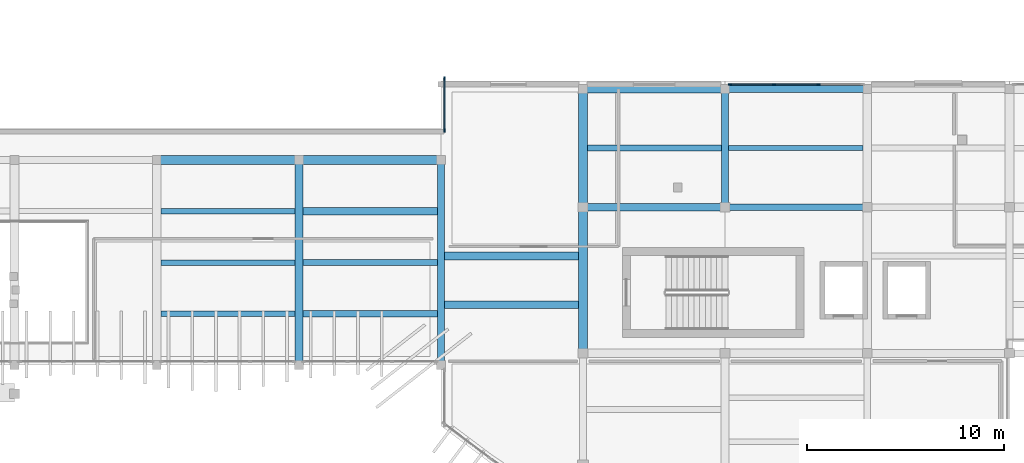
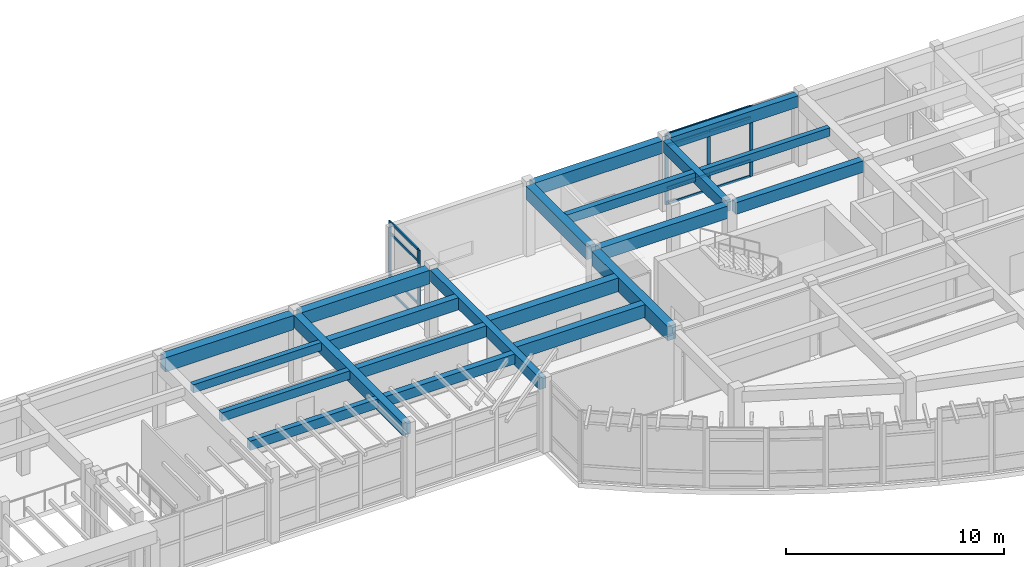
# One storey, part 20 of 60: 21 beams, 17 members, 2 elements without a shape of their own.
"""IFC4 building model written with IfcOpenShell, lengths in metres."""

from ifc_helpers import new_model, si_unit, direction, frame, origin, origin_2d, place, context, subcontext, project, spatial, rectangle, extrude, material, layer, layer_set, material_profile, profile_set, type_object, element, aggregate, save


model = new_model("IFC4")

# Units and contexts
model_context = context("Model", 3, precision=1e-05, world=origin(), true_north=direction((0.0, 1.0)))
body_context = subcontext(model_context, "Body", "Model", "MODEL_VIEW")
ifc_project = project(units=[si_unit("LENGTHUNIT", "METRE"), si_unit("AREAUNIT", "SQUARE_METRE"), si_unit("VOLUMEUNIT", "CUBIC_METRE"), si_unit("PLANEANGLEUNIT", "RADIAN"), si_unit("MASSUNIT", "GRAM", prefix="KILO")], contexts=[model_context])

# Site, building, storey
site_placement = place(None, origin())
site = spatial("IfcSite", under=ifc_project, at=site_placement, CompositionType="ELEMENT")
building_placement = place(site_placement, origin())
building = spatial("IfcBuilding", under=site, at=building_placement, Name="Brisavento Harbour Community Centre", CompositionType="ELEMENT")
storey_placement = place(building_placement, frame((0.0, 0.0, 4.5)))
storey = spatial("IfcBuildingStorey", under=building, at=storey_placement, Name="L01", CompositionType="ELEMENT", Elevation=4.5)

# Beams
ifc_material_1 = material(Name="Concrete C35/45", Category="concrete")
ifc_material_profile_1 = material_profile(ifc_material_1, rectangle(XDim=0.260009765625, YDim=0.4599609375, at=origin_2d()), Name="Concrete C35/45")
ifc_profile_set_1 = profile_set([ifc_material_profile_1], Name="Concrete C35/45")
beam_type_1 = type_object("IfcBeamType", Name="BM-JST-260x460", PredefinedType="JOIST", material=ifc_profile_set_1)
beam_1_placement = place(storey_placement, frame((93.824951171875, 22.199951171875, 3.719970703125), z_axis=(1.0, 0.0, 0.0), x_axis=(0.0, 1.0, 0.0)))
element("IfcBeam", 1, at=beam_1_placement, inside=storey, type_object=beam_type_1, Name="L01 secondary floor joist 0247", PredefinedType="JOIST", context=body_context, shape_type="SweptSolid", body=[
    extrude(rectangle(XDim=0.260009765625, YDim=0.4599609375, at=origin_2d()), origin(), (0.0, 0.0, 1.0), 6.775146484375),
])
beam_2_placement = place(storey_placement, frame((122.574951171875, 25.39990234375, 3.719970703125), z_axis=(1.0, 0.0, 0.0), x_axis=(0.0, 1.0, 0.0)))
element("IfcBeam", 2, at=beam_2_placement, inside=storey, type_object=beam_type_1, Name="L01 secondary floor joist 0258", PredefinedType="JOIST", context=body_context, shape_type="SweptSolid", body=[
    extrude(rectangle(XDim=0.260009765625, YDim=0.4599609375, at=origin_2d()), origin(), (0.0, 0.0, 1.0), 6.800048828125),
])
ifc_material_profile_2 = material_profile(ifc_material_1, rectangle(XDim=0.280029296875, YDim=0.47998046875, at=origin_2d()), Name="Concrete C35/45")
ifc_profile_set_2 = profile_set([ifc_material_profile_2], Name="Concrete C35/45")
beam_type_2 = type_object("IfcBeamType", Name="BM-JST-280x480", PredefinedType="JOIST", material=ifc_profile_set_2)
beam_3_placement = place(storey_placement, frame((93.824951171875, 19.60009765625, 3.7099609375), z_axis=(1.0, 0.0, 0.0), x_axis=(0.0, 1.0, 0.0)))
element("IfcBeam", 3, at=beam_3_placement, inside=storey, type_object=beam_type_2, Name="L01 secondary floor joist 0246", PredefinedType="JOIST", context=body_context, shape_type="SweptSolid", body=[
    extrude(rectangle(XDim=0.280029296875, YDim=0.47998046875, at=origin_2d()), origin(), (0.0, 0.0, 1.0), 6.775146484375),
])
ifc_material_profile_3 = material_profile(ifc_material_1, rectangle(XDim=0.280029296875, YDim=0.52001953125, at=origin_2d()), Name="Concrete C35/45")
ifc_profile_set_3 = profile_set([ifc_material_profile_3], Name="Concrete C35/45")
beam_type_3 = type_object("IfcBeamType", Name="BM-JST-280x520", PredefinedType="JOIST", material=ifc_profile_set_3)
beam_4_placement = place(storey_placement, frame((93.824951171875, 17.0, 3.68994140625), z_axis=(1.0, 0.0, 0.0), x_axis=(0.0, 1.0, 0.0)))
element("IfcBeam", 4, at=beam_4_placement, inside=storey, type_object=beam_type_3, Name="L01 secondary floor joist 0245", PredefinedType="JOIST", context=body_context, shape_type="SweptSolid", body=[
    extrude(rectangle(XDim=0.280029296875, YDim=0.52001953125, at=origin_2d()), origin(), (0.0, 0.0, 1.0), 6.775146484375),
])
ifc_material_profile_4 = material_profile(ifc_material_1, rectangle(XDim=0.300048828125, YDim=0.5, at=origin_2d()), Name="Concrete C35/45")
ifc_profile_set_4 = profile_set([ifc_material_profile_4], Name="Concrete C35/45")
beam_type_4 = type_object("IfcBeamType", Name="BM-JST-300x500", PredefinedType="JOIST", material=ifc_profile_set_4)
beam_5_placement = place(storey_placement, frame((115.425048828125, 25.39990234375, 3.699951171875), z_axis=(1.0, 0.0, 0.0), x_axis=(0.0, 1.0, 0.0)))
element("IfcBeam", 5, at=beam_5_placement, inside=storey, type_object=beam_type_4, Name="L01 secondary floor joist 0254", PredefinedType="JOIST", context=body_context, shape_type="SweptSolid", body=[
    extrude(rectangle(XDim=0.300048828125, YDim=0.5, at=origin_2d()), origin(), (0.0, 0.0, 1.0), 6.800048828125),
])
ifc_material_profile_5 = material_profile(ifc_material_1, rectangle(XDim=0.320068359375, YDim=0.56005859375, at=origin_2d()), Name="Concrete C35/45")
ifc_profile_set_5 = profile_set([ifc_material_profile_5], Name="Concrete C35/45")
beam_type_5 = type_object("IfcBeamType", Name="BM-JST-320x560", PredefinedType="JOIST", material=ifc_profile_set_5)
beam_6_placement = place(storey_placement, frame((101.0, 17.0, 3.669921875), z_axis=(1.0, 0.0, 0.0), x_axis=(0.0, 1.0, 0.0)))
element("IfcBeam", 6, at=beam_6_placement, inside=storey, type_object=beam_type_5, Name="L01 secondary floor joist 0248", PredefinedType="JOIST", context=body_context, shape_type="SweptSolid", body=[
    extrude(rectangle(XDim=0.320068359375, YDim=0.56005859375, at=origin_2d()), origin(), (0.0, 0.0, 1.0), 6.824951171875),
])
ifc_material_profile_6 = material_profile(ifc_material_1, rectangle(XDim=0.320068359375, YDim=0.6201171875, at=origin_2d()), Name="Concrete C35/45")
ifc_profile_set_6 = profile_set([ifc_material_profile_6], Name="Concrete C35/45")
beam_type_6 = type_object("IfcBeamType", Name="BM-JST-320x620", PredefinedType="JOIST", material=ifc_profile_set_6)
beam_7_placement = place(storey_placement, frame((101.0, 19.60009765625, 3.639892578125), z_axis=(1.0, 0.0, 0.0), x_axis=(0.0, 1.0, 0.0)))
element("IfcBeam", 7, at=beam_7_placement, inside=storey, type_object=beam_type_6, Name="L01 secondary floor joist 0249", PredefinedType="JOIST", context=body_context, shape_type="SweptSolid", body=[
    extrude(rectangle(XDim=0.320068359375, YDim=0.6201171875, at=origin_2d()), origin(), (0.0, 0.0, 1.0), 6.824951171875),
])
ifc_material_profile_7 = material_profile(ifc_material_1, rectangle(XDim=0.360107421875, YDim=0.679931640625, at=origin_2d()), Name="Concrete C35/45")
ifc_profile_set_7 = profile_set([ifc_material_profile_7], Name="Concrete C35/45")
beam_type_7 = type_object("IfcBeamType", Name="BM-JST-360x680", PredefinedType="JOIST", material=ifc_profile_set_7)
beam_8_placement = place(storey_placement, frame((101.0, 22.199951171875, 3.610107421875), z_axis=(1.0, 0.0, 0.0), x_axis=(0.0, 1.0, 0.0)))
element("IfcBeam", 8, at=beam_8_placement, inside=storey, type_object=beam_type_7, Name="L01 secondary floor joist 0250", PredefinedType="JOIST", context=body_context, shape_type="SweptSolid", body=[
    extrude(rectangle(XDim=0.360107421875, YDim=0.679931640625, at=origin_2d()), origin(), (0.0, 0.0, 1.0), 6.824951171875),
])
ifc_material_profile_8 = material_profile(ifc_material_1, rectangle(XDim=0.3798828125, YDim=0.719970703125, at=origin_2d()), Name="Concrete C35/45")
ifc_profile_set_8 = profile_set([ifc_material_profile_8], Name="Concrete C35/45")
beam_type_8 = type_object("IfcBeamType", Name="BM-JST-380x720", PredefinedType="JOIST", material=ifc_profile_set_8)
beam_9_placement = place(storey_placement, frame((108.175048828125, 17.466796875, 3.590087890625), z_axis=(1.0, 0.0, 0.0), x_axis=(0.0, 1.0, 0.0)))
element("IfcBeam", 9, at=beam_9_placement, inside=storey, type_object=beam_type_8, Name="L01 secondary floor joist 0251", PredefinedType="JOIST", context=body_context, shape_type="SweptSolid", body=[
    extrude(rectangle(XDim=0.3798828125, YDim=0.719970703125, at=origin_2d()), origin(), (0.0, 0.0, 1.0), 6.800048828125),
])
ifc_material_profile_9 = material_profile(ifc_material_1, rectangle(XDim=0.419921875, YDim=0.760009765625, at=origin_2d()), Name="Concrete C35/45")
ifc_profile_set_9 = profile_set([ifc_material_profile_9], Name="Concrete C35/45")
beam_type_9 = type_object("IfcBeamType", Name="BM-JST-420x760", PredefinedType="JOIST", material=ifc_profile_set_9)
beam_10_placement = place(storey_placement, frame((108.175048828125, 19.933349609375, 3.570068359375), z_axis=(1.0, 0.0, 0.0), x_axis=(0.0, 1.0, 0.0)))
element("IfcBeam", 10, at=beam_10_placement, inside=storey, type_object=beam_type_9, Name="L01 secondary floor joist 0252", PredefinedType="JOIST", context=body_context, shape_type="SweptSolid", body=[
    extrude(rectangle(XDim=0.419921875, YDim=0.760009765625, at=origin_2d()), origin(), (0.0, 0.0, 1.0), 6.800048828125),
])
ifc_material_profile_10 = material_profile(ifc_material_1, rectangle(XDim=0.35009765625, YDim=0.64990234375, at=origin_2d()), Name="Concrete C35/45")
ifc_profile_set_10 = profile_set([ifc_material_profile_10], Name="Concrete C35/45")
beam_type_10 = type_object("IfcBeamType", Name="BM-RC-350x650", PredefinedType="BEAM", material=ifc_profile_set_10)
beam_11_placement = place(storey_placement, frame((122.6201171875, 22.39990234375, 3.625), z_axis=(1.0, 0.0, 0.0), x_axis=(0.0, 1.0, 0.0)))
element("IfcBeam", 11, at=beam_11_placement, inside=storey, type_object=beam_type_10, Name="L01 primary girder X0418", PredefinedType="BEAM", context=body_context, shape_type="SweptSolid", body=[
    extrude(rectangle(XDim=0.35009765625, YDim=0.64990234375, at=origin_2d()), origin(), (0.0, 0.0, 1.0), 6.759765625),
])
beam_12_placement = place(storey_placement, frame((122.594970703125, 28.39990234375, 3.625), z_axis=(1.0, 0.0, 0.0), x_axis=(0.0, 1.0, 0.0)))
element("IfcBeam", 12, at=beam_12_placement, inside=storey, type_object=beam_type_10, Name="L01 primary girder X0433", PredefinedType="BEAM", context=body_context, shape_type="SweptSolid", body=[
    extrude(rectangle(XDim=0.35009765625, YDim=0.64990234375, at=origin_2d()), origin(), (0.0, 0.0, 1.0), 6.81005859375),
])
beam_13_placement = place(storey_placement, frame((108.0, 14.594970703125, 3.625), z_axis=(0.0, 1.0, 0.0), x_axis=(-1.0, 0.0, 0.0)))
element("IfcBeam", 13, at=beam_13_placement, inside=storey, type_object=beam_type_10, Name="L01 primary girder Y0503", PredefinedType="BEAM", context=body_context, shape_type="SweptSolid", body=[
    extrude(rectangle(XDim=0.35009765625, YDim=0.64990234375, at=origin_2d()), origin(), (0.0, 0.0, 1.0), 10.010009765625),
])
beam_14_placement = place(storey_placement, frame((122.39990234375, 22.6201171875, 3.625), z_axis=(0.0, 1.0, 0.0), x_axis=(-1.0, 0.0, 0.0)))
element("IfcBeam", 14, at=beam_14_placement, inside=storey, type_object=beam_type_10, Name="L01 primary girder Y0508", PredefinedType="BEAM", context=body_context, shape_type="SweptSolid", body=[
    extrude(rectangle(XDim=0.35009765625, YDim=0.64990234375, at=origin_2d()), origin(), (0.0, 0.0, 1.0), 5.5849609375),
])
ifc_material_profile_11 = material_profile(ifc_material_1, rectangle(XDim=0.39990234375, YDim=0.699951171875, at=origin_2d()), Name="Concrete C35/45")
ifc_profile_set_11 = profile_set([ifc_material_profile_11], Name="Concrete C35/45")
beam_type_11 = type_object("IfcBeamType", Name="BM-RC-400x700", PredefinedType="BEAM", material=ifc_profile_set_11)
beam_15_placement = place(storey_placement, frame((115.419921875, 22.39990234375, 3.60009765625), z_axis=(1.0, 0.0, 0.0), x_axis=(0.0, 1.0, 0.0)))
element("IfcBeam", 15, at=beam_15_placement, inside=storey, type_object=beam_type_11, Name="L01 primary girder X0417", PredefinedType="BEAM", context=body_context, shape_type="SweptSolid", body=[
    extrude(rectangle(XDim=0.39990234375, YDim=0.699951171875, at=origin_2d()), origin(), (0.0, 0.0, 1.0), 6.760009765625),
])
beam_16_placement = place(storey_placement, frame((115.39501953125, 28.39990234375, 3.60009765625), z_axis=(1.0, 0.0, 0.0), x_axis=(0.0, 1.0, 0.0)))
element("IfcBeam", 16, at=beam_16_placement, inside=storey, type_object=beam_type_11, Name="L01 primary girder X0432", PredefinedType="BEAM", context=body_context, shape_type="SweptSolid", body=[
    extrude(rectangle(XDim=0.39990234375, YDim=0.699951171875, at=origin_2d()), origin(), (0.0, 0.0, 1.0), 6.81005859375),
])
beam_17_placement = place(storey_placement, frame((100.800048828125, 14.594970703125, 3.60009765625), z_axis=(0.0, 1.0, 0.0), x_axis=(-1.0, 0.0, 0.0)))
element("IfcBeam", 17, at=beam_17_placement, inside=storey, type_object=beam_type_11, Name="L01 primary girder Y0502", PredefinedType="BEAM", context=body_context, shape_type="SweptSolid", body=[
    extrude(rectangle(XDim=0.39990234375, YDim=0.699951171875, at=origin_2d()), origin(), (0.0, 0.0, 1.0), 10.010009765625),
])
ifc_material_profile_12 = material_profile(ifc_material_1, rectangle(XDim=0.449951171875, YDim=0.75, at=origin_2d()), Name="Concrete C35/45")
ifc_profile_set_12 = profile_set([ifc_material_profile_12], Name="Concrete C35/45")
beam_type_12 = type_object("IfcBeamType", Name="BM-RC-450x750", PredefinedType="BEAM", material=ifc_profile_set_12)
beam_18_placement = place(storey_placement, frame((100.9951171875, 24.800048828125, 3.574951171875), z_axis=(1.0, 0.0, 0.0), x_axis=(0.0, 1.0, 0.0)))
element("IfcBeam", 18, at=beam_18_placement, inside=storey, type_object=beam_type_12, Name="L01 primary girder X0431", PredefinedType="BEAM", context=body_context, shape_type="SweptSolid", body=[
    extrude(rectangle(XDim=0.449951171875, YDim=0.75, at=origin_2d()), origin(), (0.0, 0.0, 1.0), 6.809814453125),
])
beam_19_placement = place(storey_placement, frame((115.199951171875, 22.6201171875, 3.574951171875), z_axis=(0.0, 1.0, 0.0), x_axis=(-1.0, 0.0, 0.0)))
element("IfcBeam", 19, at=beam_19_placement, inside=storey, type_object=beam_type_12, Name="L01 primary girder Y0506", PredefinedType="BEAM", context=body_context, shape_type="SweptSolid", body=[
    extrude(rectangle(XDim=0.449951171875, YDim=0.75, at=origin_2d()), origin(), (0.0, 0.0, 1.0), 5.5849609375),
])
ifc_material_profile_13 = material_profile(ifc_material_1, rectangle(XDim=0.449951171875, YDim=0.800048828125, at=origin_2d()), Name="Concrete C35/45")
ifc_profile_set_13 = profile_set([ifc_material_profile_13], Name="Concrete C35/45")
beam_type_13 = type_object("IfcBeamType", Name="BM-RC-450x800", PredefinedType="BEAM", material=ifc_profile_set_13)
beam_20_placement = place(storey_placement, frame((93.794921875, 24.800048828125, 3.550048828125), z_axis=(1.0, 0.0, 0.0), x_axis=(0.0, 1.0, 0.0)))
element("IfcBeam", 20, at=beam_20_placement, inside=storey, type_object=beam_type_13, Name="L01 primary girder X0430", PredefinedType="BEAM", context=body_context, shape_type="SweptSolid", body=[
    extrude(rectangle(XDim=0.449951171875, YDim=0.800048828125, at=origin_2d()), origin(), (0.0, 0.0, 1.0), 6.81005859375),
])
beam_21_placement = place(storey_placement, frame((115.199951171875, 15.219970703125, 3.550048828125), z_axis=(0.0, 1.0, 0.0), x_axis=(-1.0, 0.0, 0.0)))
element("IfcBeam", 21, at=beam_21_placement, inside=storey, type_object=beam_type_13, Name="L01 primary girder Y0505", PredefinedType="BEAM", context=body_context, shape_type="SweptSolid", body=[
    extrude(rectangle(XDim=0.449951171875, YDim=0.800048828125, at=origin_2d()), origin(), (0.0, 0.0, 1.0), 6.9599609375),
])

# Curtain wall, members
ifc_material_2 = material(Name="Marine-anodised aluminium AW-6063-T6", Category="aluminium")
ifc_layer_1 = layer(ifc_material_2, 0.179931640625, Name="Marine-anodised aluminium AW-6063-T6")
ifc_layer_set_1 = layer_set([ifc_layer_1], Name="Marine-anodised aluminium AW-6063-T6")
curtain_wall_type_1 = type_object("IfcCurtainWallType", Name="CW-SYS-02", PredefinedType="USERDEFINED", material=ifc_layer_set_1)
curtain_wall_1_placement = place(storey_placement, origin())
curtain_wall_1 = element("IfcCurtainWall", 22, at=curtain_wall_1_placement, inside=storey, type_object=curtain_wall_type_1, Name="L01 V3 unitised curtain wall 086", ObjectType="UNITISED CURTAIN WALL", PredefinedType="USERDEFINED")
ifc_material_profile_14 = material_profile(ifc_material_2, rectangle(XDim=0.070068359375, YDim=0.179931640625, at=origin_2d()), Name="Marine-anodised aluminium AW-6063-T6")
ifc_profile_set_14 = profile_set([ifc_material_profile_14], Name="Marine-anodised aluminium AW-6063-T6")
member_type_1 = type_object("IfcMemberType", Name="CWM-02", PredefinedType="MULLION", material=ifc_profile_set_14)
member_1_placement = place(storey_placement, frame((122.64501953125, 28.6201171875, 0.0), z_axis=(0.0, 0.0, 1.0), x_axis=(0.0, 1.0, 0.0)))
member_1 = element("IfcMember", 23, at=member_1_placement, type_object=member_type_1, Name="CW-02 mullion 1", PredefinedType="MULLION", context=body_context, shape_type="SweptSolid", body=[
    extrude(rectangle(XDim=0.070068359375, YDim=0.179931640625, at=origin_2d()), origin(), (0.0, 0.0, 1.0), 3.949951171875),
])
member_2_placement = place(storey_placement, frame((124.8701171875, 28.6201171875, 0.0), z_axis=(0.0, 0.0, 1.0), x_axis=(0.0, 1.0, 0.0)))
member_2 = element("IfcMember", 24, at=member_2_placement, type_object=member_type_1, Name="CW-02 mullion 2", PredefinedType="MULLION", context=body_context, shape_type="SweptSolid", body=[
    extrude(rectangle(XDim=0.070068359375, YDim=0.179931640625, at=origin_2d()), origin(), (0.0, 0.0, 1.0), 3.949951171875),
])
member_3_placement = place(storey_placement, frame((127.1298828125, 28.6201171875, 0.0), z_axis=(0.0, 0.0, 1.0), x_axis=(0.0, 1.0, 0.0)))
member_3 = element("IfcMember", 25, at=member_3_placement, type_object=member_type_1, Name="CW-02 mullion 3", PredefinedType="MULLION", context=body_context, shape_type="SweptSolid", body=[
    extrude(rectangle(XDim=0.070068359375, YDim=0.179931640625, at=origin_2d()), origin(), (0.0, 0.0, 1.0), 3.949951171875),
])

ifc_layer_2 = layer(ifc_material_2, 0.179931640625, Name="Marine-anodised aluminium AW-6063-T6")
ifc_layer_set_2 = layer_set([ifc_layer_2], Name="Marine-anodised aluminium AW-6063-T6")
curtain_wall_type_2 = type_object("IfcCurtainWallType", Name="CW-SYS-06", PredefinedType="USERDEFINED", material=ifc_layer_set_2)
curtain_wall_2_placement = place(storey_placement, origin())
curtain_wall_2 = element("IfcCurtainWall", 26, at=curtain_wall_2_placement, inside=storey, type_object=curtain_wall_type_2, Name="L01 V3 unitised curtain wall 090", ObjectType="UNITISED CURTAIN WALL", PredefinedType="USERDEFINED")
member_4_placement = place(storey_placement, frame((108.179931640625, 26.284912109375, 0.0), z_axis=(0.0, 0.0, 1.0), x_axis=(-1.0, 0.0, 0.0)))
member_4 = element("IfcMember", 27, at=member_4_placement, type_object=member_type_1, Name="CW-06 mullion 1", PredefinedType="MULLION", context=body_context, shape_type="SweptSolid", body=[
    extrude(rectangle(XDim=0.070068359375, YDim=0.179931640625, at=origin_2d()), origin(), (0.0, 0.0, 1.0), 3.949951171875),
])
member_5_placement = place(storey_placement, frame((108.179931640625, 28.9150390625, 0.0), z_axis=(0.0, 0.0, 1.0), x_axis=(-1.0, 0.0, 0.0)))
member_5 = element("IfcMember", 28, at=member_5_placement, type_object=member_type_1, Name="CW-06 mullion 2", PredefinedType="MULLION", context=body_context, shape_type="SweptSolid", body=[
    extrude(rectangle(XDim=0.070068359375, YDim=0.179931640625, at=origin_2d()), origin(), (0.0, 0.0, 1.0), 3.949951171875),
])

# Member
ifc_material_profile_15 = material_profile(ifc_material_2, rectangle(XDim=0.070068359375, YDim=0.132080078125, at=origin_2d()), Name="Marine-anodised aluminium AW-6063-T6")
ifc_profile_set_15 = profile_set([ifc_material_profile_15], Name="Marine-anodised aluminium AW-6063-T6")
member_type_2 = type_object("IfcMemberType", Name="CWT-02", PredefinedType="USERDEFINED", material=ifc_profile_set_15)
member_6_placement = place(storey_placement, frame((122.679931640625, 28.6201171875, 0.034912109375), z_axis=(1.0, 0.0, 0.0), x_axis=(0.0, 1.0, 0.0)))
member_6 = element("IfcMember", 29, at=member_6_placement, type_object=member_type_2, Name="CW-02 transom 1.1", ObjectType="TRANSOM", PredefinedType="USERDEFINED", context=body_context, shape_type="SweptSolid", body=[
    extrude(rectangle(XDim=0.070068359375, YDim=0.132080078125, at=origin_2d()), origin(), (0.0, 0.0, 1.0), 2.155029296875),
])

member_7_placement = place(storey_placement, frame((122.679931640625, 28.6201171875, 0.89990234375), z_axis=(1.0, 0.0, 0.0), x_axis=(0.0, 1.0, 0.0)))
member_7 = element("IfcMember", 30, at=member_7_placement, type_object=member_type_2, Name="CW-02 transom 1.2", ObjectType="TRANSOM", PredefinedType="USERDEFINED", context=body_context, shape_type="SweptSolid", body=[
    extrude(rectangle(XDim=0.070068359375, YDim=0.132080078125, at=origin_2d()), origin(), (0.0, 0.0, 1.0), 2.155029296875),
])

member_8_placement = place(storey_placement, frame((122.679931640625, 28.6201171875, 3.300048828125), z_axis=(1.0, 0.0, 0.0), x_axis=(0.0, 1.0, 0.0)))
member_8 = element("IfcMember", 31, at=member_8_placement, type_object=member_type_2, Name="CW-02 transom 1.3", ObjectType="TRANSOM", PredefinedType="USERDEFINED", context=body_context, shape_type="SweptSolid", body=[
    extrude(rectangle(XDim=0.070068359375, YDim=0.132080078125, at=origin_2d()), origin(), (0.0, 0.0, 1.0), 2.155029296875),
])

member_9_placement = place(storey_placement, frame((122.679931640625, 28.6201171875, 3.9150390625), z_axis=(1.0, 0.0, 0.0), x_axis=(0.0, 1.0, 0.0)))
member_9 = element("IfcMember", 32, at=member_9_placement, type_object=member_type_2, Name="CW-02 transom 1.4", ObjectType="TRANSOM", PredefinedType="USERDEFINED", context=body_context, shape_type="SweptSolid", body=[
    extrude(rectangle(XDim=0.070068359375, YDim=0.132080078125, at=origin_2d()), origin(), (0.0, 0.0, 1.0), 2.155029296875),
])

member_10_placement = place(storey_placement, frame((124.905029296875, 28.6201171875, 0.034912109375), z_axis=(1.0, 0.0, 0.0), x_axis=(0.0, 1.0, 0.0)))
member_10 = element("IfcMember", 33, at=member_10_placement, type_object=member_type_2, Name="CW-02 transom 2.1", ObjectType="TRANSOM", PredefinedType="USERDEFINED", context=body_context, shape_type="SweptSolid", body=[
    extrude(rectangle(XDim=0.070068359375, YDim=0.132080078125, at=origin_2d()), origin(), (0.0, 0.0, 1.0), 2.18994140625),
])

member_11_placement = place(storey_placement, frame((124.905029296875, 28.6201171875, 0.89990234375), z_axis=(1.0, 0.0, 0.0), x_axis=(0.0, 1.0, 0.0)))
member_11 = element("IfcMember", 34, at=member_11_placement, type_object=member_type_2, Name="CW-02 transom 2.2", ObjectType="TRANSOM", PredefinedType="USERDEFINED", context=body_context, shape_type="SweptSolid", body=[
    extrude(rectangle(XDim=0.070068359375, YDim=0.132080078125, at=origin_2d()), origin(), (0.0, 0.0, 1.0), 2.18994140625),
])

member_12_placement = place(storey_placement, frame((124.905029296875, 28.6201171875, 3.300048828125), z_axis=(1.0, 0.0, 0.0), x_axis=(0.0, 1.0, 0.0)))
member_12 = element("IfcMember", 35, at=member_12_placement, type_object=member_type_2, Name="CW-02 transom 2.3", ObjectType="TRANSOM", PredefinedType="USERDEFINED", context=body_context, shape_type="SweptSolid", body=[
    extrude(rectangle(XDim=0.070068359375, YDim=0.132080078125, at=origin_2d()), origin(), (0.0, 0.0, 1.0), 2.18994140625),
])

member_13_placement = place(storey_placement, frame((124.905029296875, 28.6201171875, 3.9150390625), z_axis=(1.0, 0.0, 0.0), x_axis=(0.0, 1.0, 0.0)))
member_13 = element("IfcMember", 36, at=member_13_placement, type_object=member_type_2, Name="CW-02 transom 2.4", ObjectType="TRANSOM", PredefinedType="USERDEFINED", context=body_context, shape_type="SweptSolid", body=[
    extrude(rectangle(XDim=0.070068359375, YDim=0.132080078125, at=origin_2d()), origin(), (0.0, 0.0, 1.0), 2.18994140625),
])

aggregate(curtain_wall_1, [member_1, member_2, member_3, member_6, member_7, member_8, member_9, member_10, member_11, member_12, member_13])

member_14_placement = place(storey_placement, frame((108.179931640625, 26.320068359375, 0.034912109375), z_axis=(0.0, 1.0, 0.0), x_axis=(-1.0, 0.0, 0.0)))
member_14 = element("IfcMember", 37, at=member_14_placement, type_object=member_type_2, Name="CW-06 transom 1.1", ObjectType="TRANSOM", PredefinedType="USERDEFINED", context=body_context, shape_type="SweptSolid", body=[
    extrude(rectangle(XDim=0.070068359375, YDim=0.132080078125, at=origin_2d()), origin(), (0.0, 0.0, 1.0), 2.559814453125),
])

member_15_placement = place(storey_placement, frame((108.179931640625, 26.320068359375, 0.89990234375), z_axis=(0.0, 1.0, 0.0), x_axis=(-1.0, 0.0, 0.0)))
member_15 = element("IfcMember", 38, at=member_15_placement, type_object=member_type_2, Name="CW-06 transom 1.2", ObjectType="TRANSOM", PredefinedType="USERDEFINED", context=body_context, shape_type="SweptSolid", body=[
    extrude(rectangle(XDim=0.070068359375, YDim=0.132080078125, at=origin_2d()), origin(), (0.0, 0.0, 1.0), 2.559814453125),
])

member_16_placement = place(storey_placement, frame((108.179931640625, 26.320068359375, 3.300048828125), z_axis=(0.0, 1.0, 0.0), x_axis=(-1.0, 0.0, 0.0)))
member_16 = element("IfcMember", 39, at=member_16_placement, type_object=member_type_2, Name="CW-06 transom 1.3", ObjectType="TRANSOM", PredefinedType="USERDEFINED", context=body_context, shape_type="SweptSolid", body=[
    extrude(rectangle(XDim=0.070068359375, YDim=0.132080078125, at=origin_2d()), origin(), (0.0, 0.0, 1.0), 2.559814453125),
])

member_17_placement = place(storey_placement, frame((108.179931640625, 26.320068359375, 3.9150390625), z_axis=(0.0, 1.0, 0.0), x_axis=(-1.0, 0.0, 0.0)))
member_17 = element("IfcMember", 40, at=member_17_placement, type_object=member_type_2, Name="CW-06 transom 1.4", ObjectType="TRANSOM", PredefinedType="USERDEFINED", context=body_context, shape_type="SweptSolid", body=[
    extrude(rectangle(XDim=0.070068359375, YDim=0.132080078125, at=origin_2d()), origin(), (0.0, 0.0, 1.0), 2.559814453125),
])

aggregate(curtain_wall_2, [member_4, member_5, member_14, member_15, member_16, member_17])

save(model, "model.ifc")
